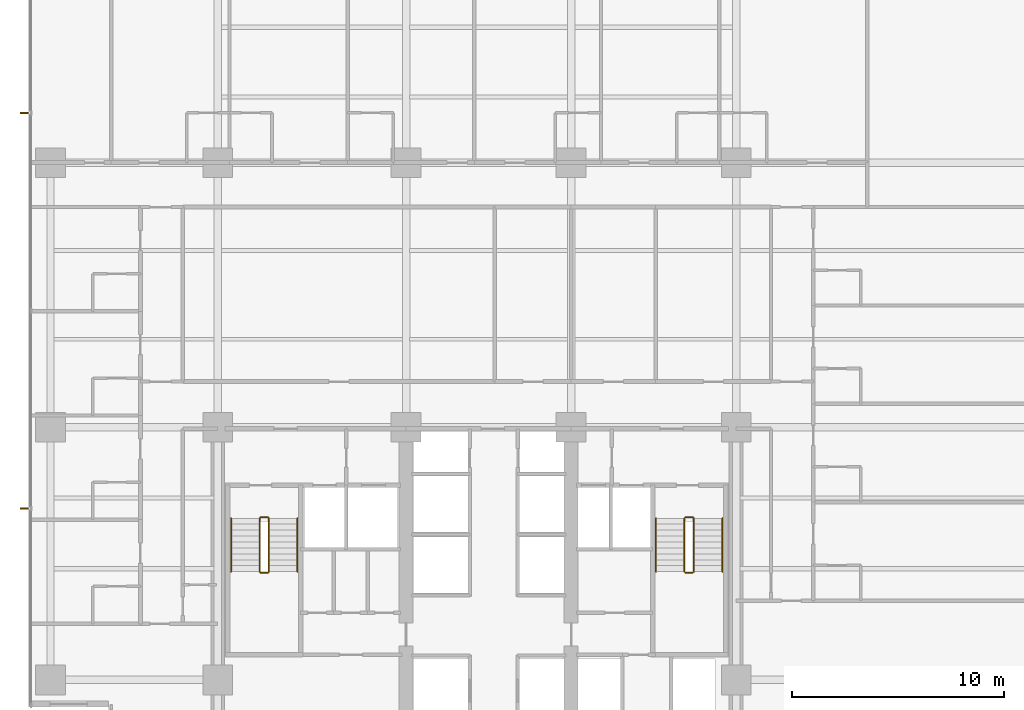
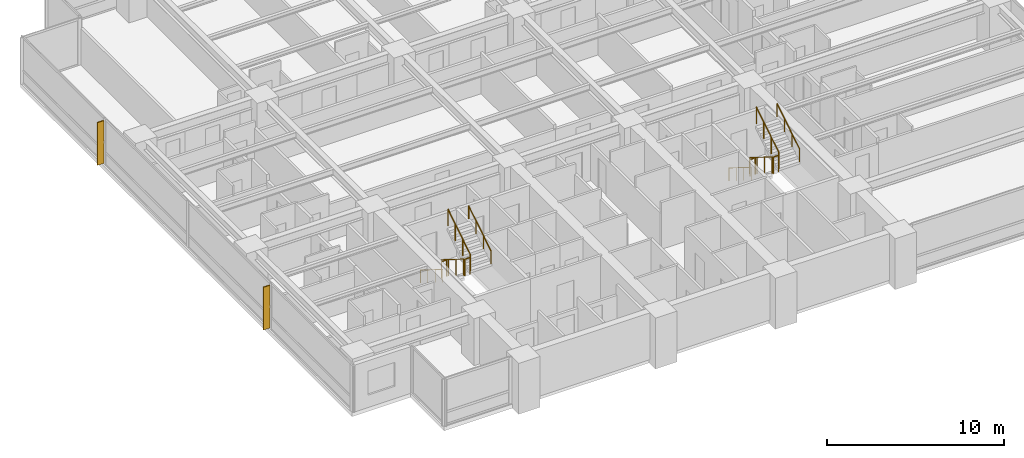
# One storey, part 15 of 16: 12 railings, 2 shading devices.
"""IFC4 building model written with IfcOpenShell, lengths in metres."""

from ifc_helpers import new_model, si_unit, direction, frame, origin, origin_2d, place, context, subcontext, project, spatial, polyline, circle, outline, extrude, material, layer, layer_set, type_object, element, save


model = new_model("IFC4")

# Units and contexts
model_context = context("Model", 3, precision=1e-05, world=origin(), true_north=direction((0.0, 1.0)))
body_context = subcontext(model_context, "Body", "Model", "MODEL_VIEW")
ifc_project = project(units=[si_unit("LENGTHUNIT", "METRE"), si_unit("AREAUNIT", "SQUARE_METRE"), si_unit("VOLUMEUNIT", "CUBIC_METRE"), si_unit("PLANEANGLEUNIT", "RADIAN"), si_unit("MASSUNIT", "GRAM", prefix="KILO")], contexts=[model_context])

# Site, building, storey
site_placement = place(None, origin())
site = spatial("IfcSite", under=ifc_project, at=site_placement, CompositionType="ELEMENT")
building_placement = place(site_placement, origin())
building = spatial("IfcBuilding", under=site, at=building_placement, Name="Qalmaran Belvedere Hotel", CompositionType="ELEMENT")
storey_placement = place(building_placement, frame((0.0, 0.0, 57.89990234375)))
storey = spatial("IfcBuildingStorey", under=building, at=storey_placement, Name="L14", CompositionType="ELEMENT", Elevation=57.89990234375)

# Shading devices
ifc_material_1 = material(Name="Anodised Bronze Aluminium", Category="aluminium")
ifc_layer = layer(ifc_material_1, 0.06494140625, Name="Anodised Bronze Aluminium")
ifc_layer_set = layer_set([ifc_layer], Name="Anodised Bronze Aluminium")
shading_device_type = type_object("IfcShadingDeviceType", Name="FIN-BRNZ-420", PredefinedType="USERDEFINED", material=ifc_layer_set)
shading_device_1_placement = place(storey_placement, frame((0.0, 0.0, 0.16015625)))
element("IfcShadingDevice", 1, at=shading_device_1_placement, inside=storey, type_object=shading_device_type, Name="L14 Bronze Fin 1", ObjectType="FIN", PredefinedType="USERDEFINED", context=body_context, shape_type="SweptSolid", body=[
    extrude(outline(polyline([(11.37744140625, 35.382568359375), (10.95751953125, 35.382568359375), (10.95751953125, 35.3173828125), (11.37744140625, 35.3173828125), (11.37744140625, 35.382568359375)])), origin(), (0.0, 0.0, 1.0), 2.93994140625),
])
shading_device_2_placement = place(storey_placement, frame((0.0, 0.0, 0.16015625)))
element("IfcShadingDevice", 2, at=shading_device_2_placement, inside=storey, type_object=shading_device_type, Name="L14 Bronze Fin 3", ObjectType="FIN", PredefinedType="USERDEFINED", context=body_context, shape_type="SweptSolid", body=[
    extrude(outline(polyline([(11.37744140625, 16.6826171875), (10.95751953125, 16.6826171875), (10.95751953125, 16.617431640625), (11.37744140625, 16.617431640625), (11.37744140625, 16.6826171875)])), origin(), (0.0, 0.0, 1.0), 2.93994140625),
])

# Railings
ifc_material_2 = material(Name="Stainless Steel 1.4401", Category="steel")
railing_type_1 = type_object("IfcRailingType", Name="RLG-STAIR-GUARD-1150", PredefinedType="GUARDRAIL", material=ifc_material_2)
railing_1_placement = place(storey_placement, frame((22.280029296875, 16.18994140625, 0.175048828125)))
element("IfcRailing", 3, at=railing_1_placement, inside=storey, type_object=railing_type_1, Name="L14 ST-1 stair guard 1", PredefinedType="GUARDRAIL", context=body_context, shape_type="SweptSolid", body=[
    extrude(circle(Radius=0.02392578125, at=origin_2d()), frame((0.0, 0.0, 1.1259765625), z_axis=(0.0, -0.848007534815, 0.529984170421), x_axis=(1.0, 0.0, 0.0)), (0.0, 0.0, 1.0), 2.9716796875),
    extrude(circle(Radius=0.02099609375, at=origin_2d()), origin(), (0.0, 0.0, 1.0), 1.101806640625),
    extrude(circle(Radius=0.02099609375, at=origin_2d()), frame((0.0, -0.840087890625, 0.52490234375)), (0.0, 0.0, 1.0), 1.101806640625),
    extrude(circle(Radius=0.02099609375, at=origin_2d()), frame((0.0, -1.679931640625, 1.050048828125)), (0.0, 0.0, 1.0), 1.101806640625),
    extrude(circle(Radius=0.02099609375, at=origin_2d()), frame((0.0, -2.52001953125, 1.574951171875)), (0.0, 0.0, 1.0), 1.101806640625),
])
railing_2_placement = place(storey_placement, frame((22.330078125, 13.6201171875, 1.75)))
element("IfcRailing", 4, at=railing_2_placement, inside=storey, type_object=railing_type_1, Name="L14 ST-1 stair guard 2", PredefinedType="GUARDRAIL", context=body_context, shape_type="SweptSolid", body=[
    extrude(circle(Radius=0.02392578125, at=origin_2d()), frame((0.0, 0.0, 1.1259765625), z_axis=(1.0, 0.0, 0.0), x_axis=(0.0, 1.0, 0.0)), (0.0, 0.0, 1.0), 0.33984375),
    extrude(circle(Radius=0.02099609375, at=origin_2d()), origin(), (0.0, 0.0, 1.0), 1.101806640625),
    extrude(circle(Radius=0.02099609375, at=origin_2d()), frame((0.33984375, 0.0, 0.0)), (0.0, 0.0, 1.0), 1.101806640625),
])
railing_3_placement = place(storey_placement, frame((22.719970703125, 13.669921875, 1.925048828125)))
element("IfcRailing", 5, at=railing_3_placement, inside=storey, type_object=railing_type_1, Name="L14 ST-1 stair guard 3", PredefinedType="GUARDRAIL", context=body_context, shape_type="SweptSolid", body=[
    extrude(circle(Radius=0.02392578125, at=origin_2d()), frame((0.0, 0.0, 1.1259765625), z_axis=(0.0, 0.848007534815, 0.529984170421), x_axis=(-1.0, 0.0, 0.0)), (0.0, 0.0, 1.0), 2.9716796875),
    extrude(circle(Radius=0.02099609375, at=origin_2d()), origin(), (0.0, 0.0, 1.0), 1.101806640625),
    extrude(circle(Radius=0.02099609375, at=origin_2d()), frame((0.0, 0.840087890625, 0.52490234375)), (0.0, 0.0, 1.0), 1.101806640625),
    extrude(circle(Radius=0.02099609375, at=origin_2d()), frame((0.0, 1.679931640625, 1.050048828125)), (0.0, 0.0, 1.0), 1.101806640625),
    extrude(circle(Radius=0.02099609375, at=origin_2d()), frame((0.0, 2.52001953125, 1.574951171875)), (0.0, 0.0, 1.0), 1.101806640625),
])
railing_4_placement = place(storey_placement, frame((22.330078125, 16.239990234375, 0.0)))
element("IfcRailing", 6, at=railing_4_placement, inside=storey, type_object=railing_type_1, Name="L14 ST-1 stair guard 4", PredefinedType="GUARDRAIL", context=body_context, shape_type="SweptSolid", body=[
    extrude(circle(Radius=0.02392578125, at=origin_2d()), frame((0.0, 0.0, 1.1259765625), z_axis=(1.0, 0.0, 0.0), x_axis=(0.0, 1.0, 0.0)), (0.0, 0.0, 1.0), 0.33984375),
    extrude(circle(Radius=0.02099609375, at=origin_2d()), origin(), (0.0, 0.0, 1.0), 1.101806640625),
    extrude(circle(Radius=0.02099609375, at=origin_2d()), frame((0.33984375, 0.0, 0.0)), (0.0, 0.0, 1.0), 1.101806640625),
])
railing_5_placement = place(storey_placement, frame((42.360107421875, 16.18994140625, 0.175048828125)))
element("IfcRailing", 7, at=railing_5_placement, inside=storey, type_object=railing_type_1, Name="L14 ST-2 stair guard 1", PredefinedType="GUARDRAIL", context=body_context, shape_type="SweptSolid", body=[
    extrude(circle(Radius=0.02392578125, at=origin_2d()), frame((0.0, 0.0, 1.1259765625), z_axis=(0.0, -0.848007534815, 0.529984170421), x_axis=(1.0, 0.0, 0.0)), (0.0, 0.0, 1.0), 2.9716796875),
    extrude(circle(Radius=0.02099609375, at=origin_2d()), origin(), (0.0, 0.0, 1.0), 1.101806640625),
    extrude(circle(Radius=0.02099609375, at=origin_2d()), frame((0.0, -0.840087890625, 0.52490234375)), (0.0, 0.0, 1.0), 1.101806640625),
    extrude(circle(Radius=0.02099609375, at=origin_2d()), frame((0.0, -1.679931640625, 1.050048828125)), (0.0, 0.0, 1.0), 1.101806640625),
    extrude(circle(Radius=0.02099609375, at=origin_2d()), frame((0.0, -2.52001953125, 1.574951171875)), (0.0, 0.0, 1.0), 1.101806640625),
])
railing_6_placement = place(storey_placement, frame((42.409912109375, 13.6201171875, 1.75)))
element("IfcRailing", 8, at=railing_6_placement, inside=storey, type_object=railing_type_1, Name="L14 ST-2 stair guard 2", PredefinedType="GUARDRAIL", context=body_context, shape_type="SweptSolid", body=[
    extrude(circle(Radius=0.02392578125, at=origin_2d()), frame((0.0, 0.0, 1.1259765625), z_axis=(1.0, 0.0, 0.0), x_axis=(0.0, 1.0, 0.0)), (0.0, 0.0, 1.0), 0.340087890625),
    extrude(circle(Radius=0.02099609375, at=origin_2d()), origin(), (0.0, 0.0, 1.0), 1.101806640625),
    extrude(circle(Radius=0.02099609375, at=origin_2d()), frame((0.340087890625, 0.0, 0.0)), (0.0, 0.0, 1.0), 1.101806640625),
])
railing_7_placement = place(storey_placement, frame((42.800048828125, 13.669921875, 1.925048828125)))
element("IfcRailing", 9, at=railing_7_placement, inside=storey, type_object=railing_type_1, Name="L14 ST-2 stair guard 3", PredefinedType="GUARDRAIL", context=body_context, shape_type="SweptSolid", body=[
    extrude(circle(Radius=0.02392578125, at=origin_2d()), frame((0.0, 0.0, 1.1259765625), z_axis=(0.0, 0.848007534815, 0.529984170421), x_axis=(-1.0, 0.0, 0.0)), (0.0, 0.0, 1.0), 2.9716796875),
    extrude(circle(Radius=0.02099609375, at=origin_2d()), origin(), (0.0, 0.0, 1.0), 1.101806640625),
    extrude(circle(Radius=0.02099609375, at=origin_2d()), frame((0.0, 0.840087890625, 0.52490234375)), (0.0, 0.0, 1.0), 1.101806640625),
    extrude(circle(Radius=0.02099609375, at=origin_2d()), frame((0.0, 1.679931640625, 1.050048828125)), (0.0, 0.0, 1.0), 1.101806640625),
    extrude(circle(Radius=0.02099609375, at=origin_2d()), frame((0.0, 2.52001953125, 1.574951171875)), (0.0, 0.0, 1.0), 1.101806640625),
])
railing_8_placement = place(storey_placement, frame((42.409912109375, 16.239990234375, 0.0)))
element("IfcRailing", 10, at=railing_8_placement, inside=storey, type_object=railing_type_1, Name="L14 ST-2 stair guard 4", PredefinedType="GUARDRAIL", context=body_context, shape_type="SweptSolid", body=[
    extrude(circle(Radius=0.02392578125, at=origin_2d()), frame((0.0, 0.0, 1.1259765625), z_axis=(1.0, 0.0, 0.0), x_axis=(0.0, 1.0, 0.0)), (0.0, 0.0, 1.0), 0.340087890625),
    extrude(circle(Radius=0.02099609375, at=origin_2d()), origin(), (0.0, 0.0, 1.0), 1.101806640625),
    extrude(circle(Radius=0.02099609375, at=origin_2d()), frame((0.340087890625, 0.0, 0.0)), (0.0, 0.0, 1.0), 1.101806640625),
])
railing_type_2 = type_object("IfcRailingType", Name="RLG-STAIR-HAND-910", PredefinedType="HANDRAIL", material=ifc_material_2)
railing_9_placement = place(storey_placement, frame((20.929931640625, 16.18994140625, 0.175048828125)))
element("IfcRailing", 11, at=railing_9_placement, inside=storey, type_object=railing_type_2, Name="L14 ST-1 stair handrail 1", PredefinedType="HANDRAIL", context=body_context, shape_type="SweptSolid", body=[
    extrude(circle(Radius=0.02392578125, at=origin_2d()), frame((0.0, 0.0, 0.8857421875), z_axis=(0.0, -0.848007534815, 0.529984170421), x_axis=(1.0, 0.0, 0.0)), (0.0, 0.0, 1.0), 2.9716796875),
    extrude(circle(Radius=0.02099609375, at=origin_2d()), origin(), (0.0, 0.0, 1.0), 0.86181640625),
    extrude(circle(Radius=0.02099609375, at=origin_2d()), frame((0.0, -0.840087890625, 0.52490234375)), (0.0, 0.0, 1.0), 0.86181640625),
    extrude(circle(Radius=0.02099609375, at=origin_2d()), frame((0.0, -1.679931640625, 1.050048828125)), (0.0, 0.0, 1.0), 0.86181640625),
    extrude(circle(Radius=0.02099609375, at=origin_2d()), frame((0.0, -2.52001953125, 1.574951171875)), (0.0, 0.0, 1.0), 0.86181640625),
])
railing_10_placement = place(storey_placement, frame((24.070068359375, 13.669921875, 1.925048828125)))
element("IfcRailing", 12, at=railing_10_placement, inside=storey, type_object=railing_type_2, Name="L14 ST-1 stair handrail 2", PredefinedType="HANDRAIL", context=body_context, shape_type="SweptSolid", body=[
    extrude(circle(Radius=0.02392578125, at=origin_2d()), frame((0.0, 0.0, 0.8857421875), z_axis=(0.0, 0.848007534815, 0.529984170421), x_axis=(-1.0, 0.0, 0.0)), (0.0, 0.0, 1.0), 2.9716796875),
    extrude(circle(Radius=0.02099609375, at=origin_2d()), origin(), (0.0, 0.0, 1.0), 0.86181640625),
    extrude(circle(Radius=0.02099609375, at=origin_2d()), frame((0.0, 0.840087890625, 0.52490234375)), (0.0, 0.0, 1.0), 0.86181640625),
    extrude(circle(Radius=0.02099609375, at=origin_2d()), frame((0.0, 1.679931640625, 1.050048828125)), (0.0, 0.0, 1.0), 0.86181640625),
    extrude(circle(Radius=0.02099609375, at=origin_2d()), frame((0.0, 2.52001953125, 1.574951171875)), (0.0, 0.0, 1.0), 0.86181640625),
])
railing_11_placement = place(storey_placement, frame((41.010009765625, 16.18994140625, 0.175048828125)))
element("IfcRailing", 13, at=railing_11_placement, inside=storey, type_object=railing_type_2, Name="L14 ST-2 stair handrail 1", PredefinedType="HANDRAIL", context=body_context, shape_type="SweptSolid", body=[
    extrude(circle(Radius=0.02392578125, at=origin_2d()), frame((0.0, 0.0, 0.8857421875), z_axis=(0.0, -0.848007534815, 0.529984170421), x_axis=(1.0, 0.0, 0.0)), (0.0, 0.0, 1.0), 2.9716796875),
    extrude(circle(Radius=0.02099609375, at=origin_2d()), origin(), (0.0, 0.0, 1.0), 0.86181640625),
    extrude(circle(Radius=0.02099609375, at=origin_2d()), frame((0.0, -0.840087890625, 0.52490234375)), (0.0, 0.0, 1.0), 0.86181640625),
    extrude(circle(Radius=0.02099609375, at=origin_2d()), frame((0.0, -1.679931640625, 1.050048828125)), (0.0, 0.0, 1.0), 0.86181640625),
    extrude(circle(Radius=0.02099609375, at=origin_2d()), frame((0.0, -2.52001953125, 1.574951171875)), (0.0, 0.0, 1.0), 0.86181640625),
])
railing_12_placement = place(storey_placement, frame((44.14990234375, 13.669921875, 1.925048828125)))
element("IfcRailing", 14, at=railing_12_placement, inside=storey, type_object=railing_type_2, Name="L14 ST-2 stair handrail 2", PredefinedType="HANDRAIL", context=body_context, shape_type="SweptSolid", body=[
    extrude(circle(Radius=0.02392578125, at=origin_2d()), frame((0.0, 0.0, 0.8857421875), z_axis=(0.0, 0.848007534815, 0.529984170421), x_axis=(-1.0, 0.0, 0.0)), (0.0, 0.0, 1.0), 2.9716796875),
    extrude(circle(Radius=0.02099609375, at=origin_2d()), origin(), (0.0, 0.0, 1.0), 0.86181640625),
    extrude(circle(Radius=0.02099609375, at=origin_2d()), frame((0.0, 0.840087890625, 0.52490234375)), (0.0, 0.0, 1.0), 0.86181640625),
    extrude(circle(Radius=0.02099609375, at=origin_2d()), frame((0.0, 1.679931640625, 1.050048828125)), (0.0, 0.0, 1.0), 0.86181640625),
    extrude(circle(Radius=0.02099609375, at=origin_2d()), frame((0.0, 2.52001953125, 1.574951171875)), (0.0, 0.0, 1.0), 0.86181640625),
])

save(model, "model.ifc")
